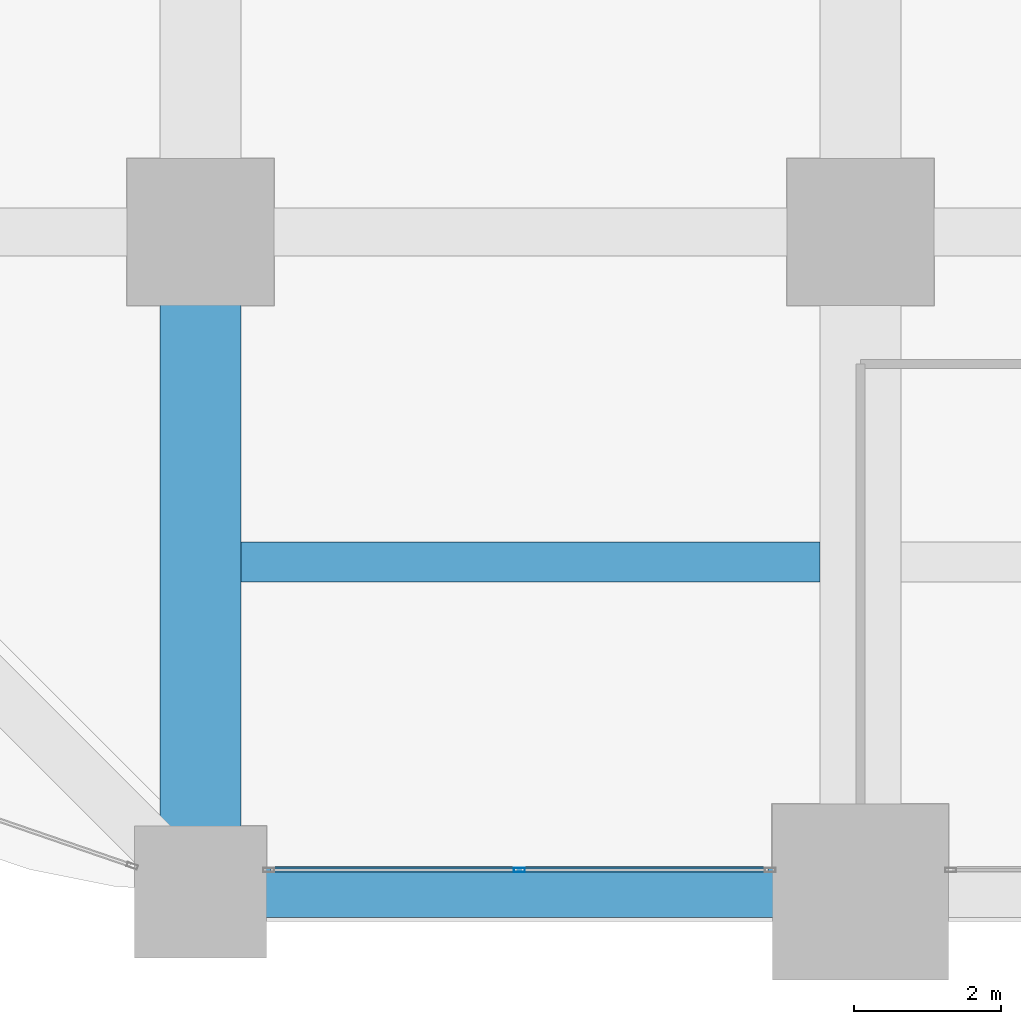
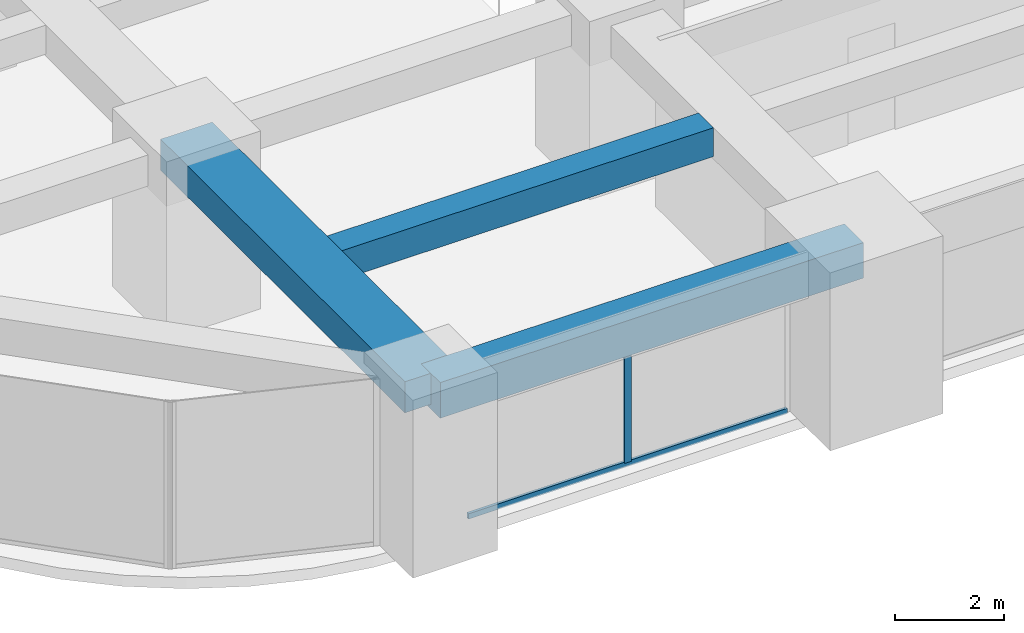
# One storey, part 3 of 39: 3 beams, 2 members, 1 element without a shape of its own.
"""IFC4 building model written with IfcOpenShell, lengths in metres."""

from ifc_helpers import new_model, si_unit, direction, frame, origin, origin_2d, place, context, subcontext, project, spatial, rectangle, hollow_rectangle, extrude, material, material_profile, profile_set, type_object, element, aggregate, save


model = new_model("IFC4")

# Units and contexts
model_context = context("Model", 3, precision=1e-05, world=origin(), true_north=direction((0.0, 1.0)))
body_context = subcontext(model_context, "Body", "Model", "MODEL_VIEW")
ifc_project = project(units=[si_unit("LENGTHUNIT", "METRE"), si_unit("AREAUNIT", "SQUARE_METRE"), si_unit("VOLUMEUNIT", "CUBIC_METRE"), si_unit("PLANEANGLEUNIT", "RADIAN"), si_unit("MASSUNIT", "GRAM", prefix="KILO")], contexts=[model_context])

# Site, building, storey
site_placement = place(None, origin())
site = spatial("IfcSite", under=ifc_project, at=site_placement, CompositionType="ELEMENT")
building_placement = place(site_placement, origin())
building = spatial("IfcBuilding", under=site, at=building_placement, Name="Zorevar Civic Tower", CompositionType="ELEMENT")
storey_placement = place(building_placement, frame((0.0, 0.0, 121.0)))
storey = spatial("IfcBuildingStorey", under=building, at=storey_placement, Name="L29", CompositionType="ELEMENT", Elevation=121.0)

# Beams
ifc_material_1 = material(Name="Concrete C50/60", Category="concrete")
ifc_material_profile_1 = material_profile(ifc_material_1, rectangle(XDim=1.10009765625, YDim=0.699951171875, at=origin_2d()), Name="RC 1100x700")
ifc_profile_set_1 = profile_set([ifc_material_profile_1], Name="Concrete C50/60")
beam_type_1 = type_object("IfcBeamType", Name="Beam RC 1100x700", PredefinedType="BEAM", material=ifc_profile_set_1)
beam_1_placement = place(storey_placement, frame((9.0, 0.0, 3.39990234375), z_axis=(0.0, 1.0, 0.0), x_axis=(-1.0, 0.0, 0.0)))
element("IfcBeam", 1, at=beam_1_placement, inside=storey, type_object=beam_type_1, Name="Girder L30", PredefinedType="BEAM", context=body_context, shape_type="SweptSolid", body=[
    extrude(rectangle(XDim=1.10009765625, YDim=0.699951171875, at=origin_2d()), origin(), (0.0, 0.0, 1.0), 9.0),
])
ifc_material_2 = material(Name="Concrete C50/60", Category="concrete")
ifc_material_profile_2 = material_profile(ifc_material_2, rectangle(XDim=0.550048828125, YDim=0.64990234375, at=origin_2d()), Name="RC 550x650")
ifc_profile_set_2 = profile_set([ifc_material_profile_2], Name="Concrete C50/60")
beam_type_2 = type_object("IfcBeamType", Name="Beam RC 550x650", PredefinedType="BEAM", material=ifc_profile_set_2)
beam_2_placement = place(storey_placement, frame((9.550048828125, 4.5, 3.425048828125), z_axis=(1.0, 0.0, 0.0), x_axis=(0.0, 1.0, 0.0)))
element("IfcBeam", 2, at=beam_2_placement, inside=storey, type_object=beam_type_2, Name="Secondary beam L30", PredefinedType="BEAM", context=body_context, shape_type="SweptSolid", body=[
    extrude(rectangle(XDim=0.550048828125, YDim=0.64990234375, at=origin_2d()), origin(), (0.0, 0.0, 1.0), 7.89990234375),
])

# Curtain wall, members
ifc_material_3 = material(Name="Dark grey solar-control glass in black aluminium frame", Category="aluminium")
curtain_wall_type = type_object("IfcCurtainWallType", Name="Curtain wall CW3 mid zone", PredefinedType="NOTDEFINED", material=ifc_material_3)
curtain_wall_placement = place(storey_placement, origin())
curtain_wall = element("IfcCurtainWall", 3, at=curtain_wall_placement, inside=storey, type_object=curtain_wall_type, Name="CW3 L29", PredefinedType="NOTDEFINED")
ifc_material_4 = material(Name="Aluminium, black anodised", Category="aluminium")
ifc_material_profile_3 = material_profile(ifc_material_4, hollow_rectangle(XDim=0.06005859375, YDim=0.14990234375, WallThickness=0.00390625, at=origin_2d()), Name="AL 150x60x4")
ifc_profile_set_3 = profile_set([ifc_material_profile_3], Name="Aluminium, black anodised")
member_type_1 = type_object("IfcMemberType", Name="CW3 mullion AL 150x60x4", PredefinedType="MULLION", material=ifc_profile_set_3)
member_1_placement = place(storey_placement, frame((13.35009765625, 0.300048828125, 0.06005859375), z_axis=(0.0, 0.0, 1.0), x_axis=(0.0, 1.0, 0.0)))
member_1 = element("IfcMember", 4, at=member_1_placement, type_object=member_type_1, Name="CW3 mullion 2", PredefinedType="MULLION", context=body_context, shape_type="SweptSolid", body=[
    extrude(hollow_rectangle(XDim=0.06005859375, YDim=0.14990234375, WallThickness=0.00390625, at=origin_2d()), origin(), (0.0, 0.0, 1.0), 2.889892578125),
])
ifc_material_5 = material(Name="Aluminium, black anodised", Category="aluminium")
ifc_material_profile_4 = material_profile(ifc_material_5, hollow_rectangle(XDim=0.06005859375, YDim=0.1201171875, WallThickness=0.0029296875, at=origin_2d()), Name="AL 120x60x3")
ifc_profile_set_4 = profile_set([ifc_material_profile_4], Name="Aluminium, black anodised")
member_type_2 = type_object("IfcMemberType", Name="CW3 transom AL 120x60x3", PredefinedType="USERDEFINED", material=ifc_profile_set_4)
member_2_placement = place(storey_placement, frame((9.9599609375, 0.300048828125, 0.030029296875), z_axis=(1.0, 0.0, 0.0), x_axis=(0.0, 1.0, 0.0)))
member_2 = element("IfcMember", 5, at=member_2_placement, type_object=member_type_2, Name="CW3 sill transom", ObjectType="TRANSOM", PredefinedType="USERDEFINED", context=body_context, shape_type="SweptSolid", body=[
    extrude(hollow_rectangle(XDim=0.06005859375, YDim=0.1201171875, WallThickness=0.0029296875, at=origin_2d()), origin(), (0.0, 0.0, 1.0), 6.780029296875),
])
aggregate(curtain_wall, [member_1, member_2])

# Beam
ifc_material_6 = material(Name="Concrete C50/60", Category="concrete")
ifc_material_profile_5 = material_profile(ifc_material_6, rectangle(XDim=0.699951171875, YDim=0.800048828125, at=origin_2d()), Name="RC 700x800")
ifc_profile_set_5 = profile_set([ifc_material_profile_5], Name="Concrete C50/60")
beam_type_3 = type_object("IfcBeamType", Name="Edge beam RC 700x800", PredefinedType="SPANDREL", material=ifc_profile_set_5)
beam_3_placement = place(storey_placement, frame((9.0, 0.0, 3.35009765625), z_axis=(1.0, 0.0, 0.0), x_axis=(0.0, 1.0, 0.0)))
element("IfcBeam", 6, at=beam_3_placement, inside=storey, type_object=beam_type_3, Name="Edge beam L30", PredefinedType="SPANDREL", context=body_context, shape_type="SweptSolid", body=[
    extrude(rectangle(XDim=0.699951171875, YDim=0.800048828125, at=origin_2d()), origin(), (0.0, 0.0, 1.0), 9.0),
])

save(model, "model.ifc")
